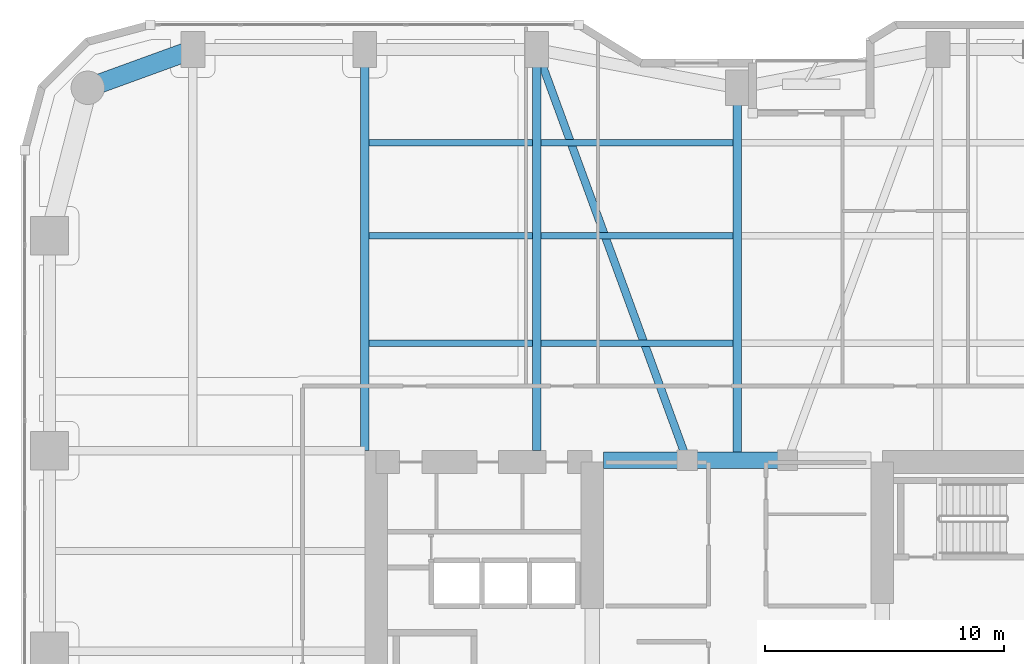
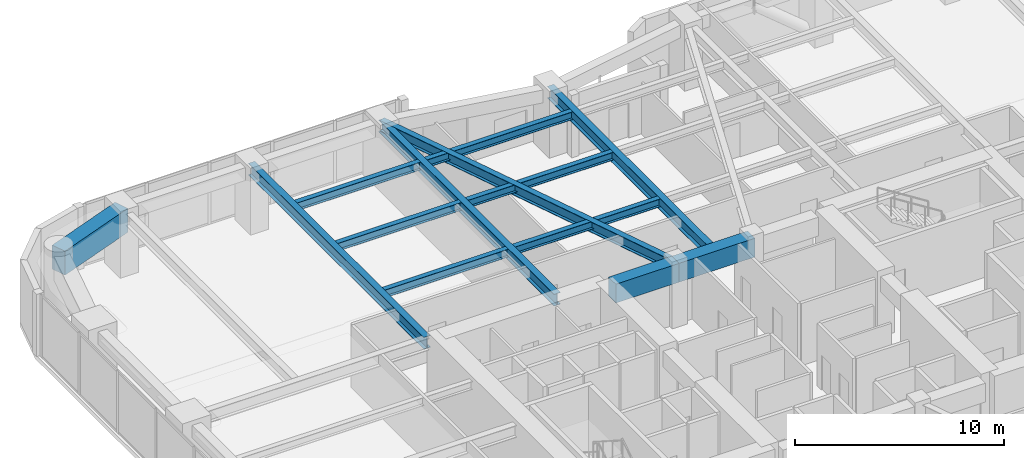
# One storey, part 15 of 29: 13 beams.
"""IFC4 building model written with IfcOpenShell, lengths in metres."""

from ifc_helpers import new_model, si_unit, direction, frame, origin, origin_2d, place, context, subcontext, project, spatial, rectangle, i_section, extrude, material, material_profile, profile_set, type_object, element, save


model = new_model("IFC4")

# Units and contexts
model_context = context("Model", 3, precision=1e-05, world=origin(), true_north=direction((0.0, 1.0)))
body_context = subcontext(model_context, "Body", "Model", "MODEL_VIEW")
ifc_project = project(units=[si_unit("LENGTHUNIT", "METRE"), si_unit("AREAUNIT", "SQUARE_METRE"), si_unit("VOLUMEUNIT", "CUBIC_METRE"), si_unit("PLANEANGLEUNIT", "RADIAN"), si_unit("MASSUNIT", "GRAM", prefix="KILO")], contexts=[model_context])

# Site, building, storey
site_placement = place(None, origin())
site = spatial("IfcSite", under=ifc_project, at=site_placement, CompositionType="ELEMENT")
building_placement = place(site_placement, origin())
building = spatial("IfcBuilding", under=site, at=building_placement, Name="Kiyonajd Concourse Tower", CompositionType="ELEMENT")
storey_placement = place(building_placement, frame((0.0, 0.0, 45.0)))
storey = spatial("IfcBuildingStorey", under=building, at=storey_placement, Name="L12", CompositionType="ELEMENT", Elevation=45.0)

# Beams
ifc_material_1 = material(Name="Concrete C70/85", Category="concrete")
ifc_material_profile_1 = material_profile(ifc_material_1, rectangle(XDim=0.699951171875, YDim=1.10009765625, at=origin_2d()), Name="RCBM-700x1100")
ifc_profile_set_1 = profile_set([ifc_material_profile_1], Name="Concrete C70/85")
beam_type_1 = type_object("IfcBeamType", Name="BM-COUP-1100", PredefinedType="LINTEL", material=ifc_profile_set_1)
beam_1_placement = place(storey_placement, frame((42.39990234375, 44.0, 3.090087890625), z_axis=(1.0, 0.0, 0.0), x_axis=(0.0, 1.0, 0.0)))
element("IfcBeam", 1, at=beam_1_placement, inside=storey, type_object=beam_type_1, Name="L12 Core Coupling Beam N1", PredefinedType="LINTEL", context=body_context, shape_type="SweptSolid", body=[
    extrude(rectangle(XDim=0.699951171875, YDim=1.10009765625, at=origin_2d()), origin(), (0.0, 0.0, 1.0), 3.5),
])
beam_2_placement = place(storey_placement, frame((45.89990234375, 44.0, 3.090087890625), z_axis=(1.0, 0.0, 0.0), x_axis=(0.0, 1.0, 0.0)))
element("IfcBeam", 2, at=beam_2_placement, inside=storey, type_object=beam_type_1, Name="L12 Core Coupling Beam N2", PredefinedType="LINTEL", context=body_context, shape_type="SweptSolid", body=[
    extrude(rectangle(XDim=0.699951171875, YDim=1.10009765625, at=origin_2d()), origin(), (0.0, 0.0, 1.0), 4.2001953125),
])
ifc_material_2 = material(Name="Steel ASTM A992 Grade 50", Category="steel")
ifc_material_profile_2 = material_profile(ifc_material_2, i_section(OverallWidth=0.280029296875, OverallDepth=0.462890625, WebThickness=0.0107421875, FlangeThickness=0.017333984375, at=origin_2d()), Name="W460X113")
ifc_profile_set_2 = profile_set([ifc_material_profile_2], Name="Steel ASTM A992 Grade 50")
beam_type_2 = type_object("IfcBeamType", Name="BM-JST-460A", PredefinedType="JOIST", material=ifc_profile_set_2)
beam_3_placement = place(storey_placement, frame((32.577392578125, 48.89990234375, 3.408447265625), z_axis=(1.0, 0.0, 0.0), x_axis=(0.0, 1.0, 0.0)))
element("IfcBeam", 3, at=beam_3_placement, inside=storey, type_object=beam_type_2, Name="L12 Secondary Floor Joist", PredefinedType="JOIST", context=body_context, shape_type="SweptSolid", body=[
    extrude(i_section(OverallWidth=0.280029296875, OverallDepth=0.462890625, WebThickness=0.0107421875, FlangeThickness=0.017333984375, at=origin_2d()), origin(), (0.0, 0.0, 1.0), 6.84521484375),
])
beam_4_placement = place(storey_placement, frame((39.777587890625, 48.89990234375, 3.408447265625), z_axis=(1.0, 0.0, 0.0), x_axis=(0.0, 1.0, 0.0)))
element("IfcBeam", 4, at=beam_4_placement, inside=storey, type_object=beam_type_2, Name="L12 Secondary Floor Joist", PredefinedType="JOIST", context=body_context, shape_type="SweptSolid", body=[
    extrude(i_section(OverallWidth=0.280029296875, OverallDepth=0.462890625, WebThickness=0.0107421875, FlangeThickness=0.017333984375, at=origin_2d()), origin(), (0.0, 0.0, 1.0), 8.044921875),
])
beam_5_placement = place(storey_placement, frame((32.577392578125, 53.39990234375, 3.408447265625), z_axis=(1.0, 0.0, 0.0), x_axis=(0.0, 1.0, 0.0)))
element("IfcBeam", 5, at=beam_5_placement, inside=storey, type_object=beam_type_2, Name="L12 Secondary Floor Joist", PredefinedType="JOIST", context=body_context, shape_type="SweptSolid", body=[
    extrude(i_section(OverallWidth=0.280029296875, OverallDepth=0.462890625, WebThickness=0.0107421875, FlangeThickness=0.017333984375, at=origin_2d()), origin(), (0.0, 0.0, 1.0), 6.84521484375),
])
beam_6_placement = place(storey_placement, frame((39.777587890625, 53.39990234375, 3.408447265625), z_axis=(1.0, 0.0, 0.0), x_axis=(0.0, 1.0, 0.0)))
element("IfcBeam", 6, at=beam_6_placement, inside=storey, type_object=beam_type_2, Name="L12 Secondary Floor Joist", PredefinedType="JOIST", context=body_context, shape_type="SweptSolid", body=[
    extrude(i_section(OverallWidth=0.280029296875, OverallDepth=0.462890625, WebThickness=0.0107421875, FlangeThickness=0.017333984375, at=origin_2d()), origin(), (0.0, 0.0, 1.0), 8.044921875),
])
beam_7_placement = place(storey_placement, frame((32.577392578125, 57.300048828125, 3.408447265625), z_axis=(1.0, 0.0, 0.0), x_axis=(0.0, 1.0, 0.0)))
element("IfcBeam", 7, at=beam_7_placement, inside=storey, type_object=beam_type_2, Name="L12 Secondary Floor Joist", PredefinedType="JOIST", context=body_context, shape_type="SweptSolid", body=[
    extrude(i_section(OverallWidth=0.280029296875, OverallDepth=0.462890625, WebThickness=0.0107421875, FlangeThickness=0.017333984375, at=origin_2d()), origin(), (0.0, 0.0, 1.0), 6.84521484375),
])
beam_8_placement = place(storey_placement, frame((39.777587890625, 57.300048828125, 3.408447265625), z_axis=(1.0, 0.0, 0.0), x_axis=(0.0, 1.0, 0.0)))
element("IfcBeam", 8, at=beam_8_placement, inside=storey, type_object=beam_type_2, Name="L12 Secondary Floor Joist", PredefinedType="JOIST", context=body_context, shape_type="SweptSolid", body=[
    extrude(i_section(OverallWidth=0.280029296875, OverallDepth=0.462890625, WebThickness=0.0107421875, FlangeThickness=0.017333984375, at=origin_2d()), origin(), (0.0, 0.0, 1.0), 8.044921875),
])
ifc_material_profile_3 = material_profile(ifc_material_2, i_section(OverallWidth=0.326904296875, OverallDepth=0.6220703125, WebThickness=0.015380859375, FlangeThickness=0.0244140625, at=origin_2d()), Name="W610X195")
ifc_profile_set_3 = profile_set([ifc_material_profile_3], Name="Steel ASTM A992 Grade 50")
beam_type_3 = type_object("IfcBeamType", Name="BM-TWR-610A", PredefinedType="BEAM", material=ifc_profile_set_3)
beam_9_placement = place(storey_placement, frame((39.60009765625, 61.199951171875, 3.3291015625), z_axis=(0.343925269715, -0.938997022813, 0.0), x_axis=(0.938997022813, 0.343925269715, 0.0)))
element("IfcBeam", 9, at=beam_9_placement, inside=storey, type_object=beam_type_3, Name="L12 Core Tie Girder", PredefinedType="BEAM", context=body_context, shape_type="SweptSolid", body=[
    extrude(i_section(OverallWidth=0.326904296875, OverallDepth=0.6220703125, WebThickness=0.015380859375, FlangeThickness=0.0244140625, at=origin_2d()), origin(), (0.0, 0.0, 1.0), 18.3173828125),
])
ifc_material_profile_4 = material_profile(ifc_material_2, i_section(OverallWidth=0.35498046875, OverallDepth=0.695068359375, WebThickness=0.015380859375, FlangeThickness=0.02490234375, at=origin_2d()), Name="W690X217")
ifc_profile_set_4 = profile_set([ifc_material_profile_4], Name="Steel ASTM A992 Grade 50")
beam_type_4 = type_object("IfcBeamType", Name="BM-TWR-690", PredefinedType="BEAM", material=ifc_profile_set_4)
for number, where, z_axis, x_axis, name in (
    (10, (32.39990234375, 44.39990234375, 3.29248046875), (0.0, 1.0, 0.0), (-1.0, 0.0, 0.0), "L12 North Lease Girder"),
    (11, (39.60009765625, 44.39990234375, 3.29248046875), (0.0, 1.0, 0.0), (-1.0, 0.0, 0.0), "L12 North Lease Girder"),
):
    element("IfcBeam", number, at=place(storey_placement, frame(where, z_axis=z_axis, x_axis=x_axis)), inside=storey, type_object=beam_type_4, Name=name, PredefinedType="BEAM", context=body_context, shape_type="SweptSolid", body=[
        extrude(i_section(OverallWidth=0.35498046875, OverallDepth=0.695068359375, WebThickness=0.015380859375, FlangeThickness=0.02490234375, at=origin_2d()), origin(), (0.0, 0.0, 1.0), 16.800048828125),
    ])
beam_10_placement = place(storey_placement, frame((48.0, 44.0, 3.29248046875), z_axis=(0.0, 1.0, 0.0), x_axis=(-1.0, 0.0, 0.0)))
element("IfcBeam", 12, at=beam_10_placement, inside=storey, type_object=beam_type_4, Name="L12 North Ribbon Girder", PredefinedType="BEAM", context=body_context, shape_type="SweptSolid", body=[
    extrude(i_section(OverallWidth=0.35498046875, OverallDepth=0.695068359375, WebThickness=0.015380859375, FlangeThickness=0.02490234375, at=origin_2d()), origin(), (0.0, 0.0, 1.0), 15.60009765625),
])
ifc_material_3 = material(Name="Concrete C60/75", Category="concrete")
ifc_material_profile_5 = material_profile(ifc_material_3, rectangle(XDim=0.800048828125, YDim=1.39990234375, at=origin_2d()), Name="RCBM-800x1400")
ifc_profile_set_5 = profile_set([ifc_material_profile_5], Name="Concrete C60/75")
beam_type_5 = type_object("IfcBeamType", Name="BM-XFER-RC", PredefinedType="BEAM", material=ifc_profile_set_5)
beam_11_placement = place(storey_placement, frame((25.199951171875, 61.199951171875, 2.93994140625), z_axis=(-0.939801036019, -0.341722127901, 0.0), x_axis=(0.341722127901, -0.939801036019, 0.0)))
element("IfcBeam", 13, at=beam_11_placement, inside=storey, type_object=beam_type_5, Name="L12 Perimeter Bundled Tube Spandrel", PredefinedType="BEAM", context=body_context, shape_type="SweptSolid", body=[
    extrude(rectangle(XDim=0.800048828125, YDim=1.39990234375, at=origin_2d()), origin(), (0.0, 0.0, 1.0), 4.681640625),
])

save(model, "model.ifc")
